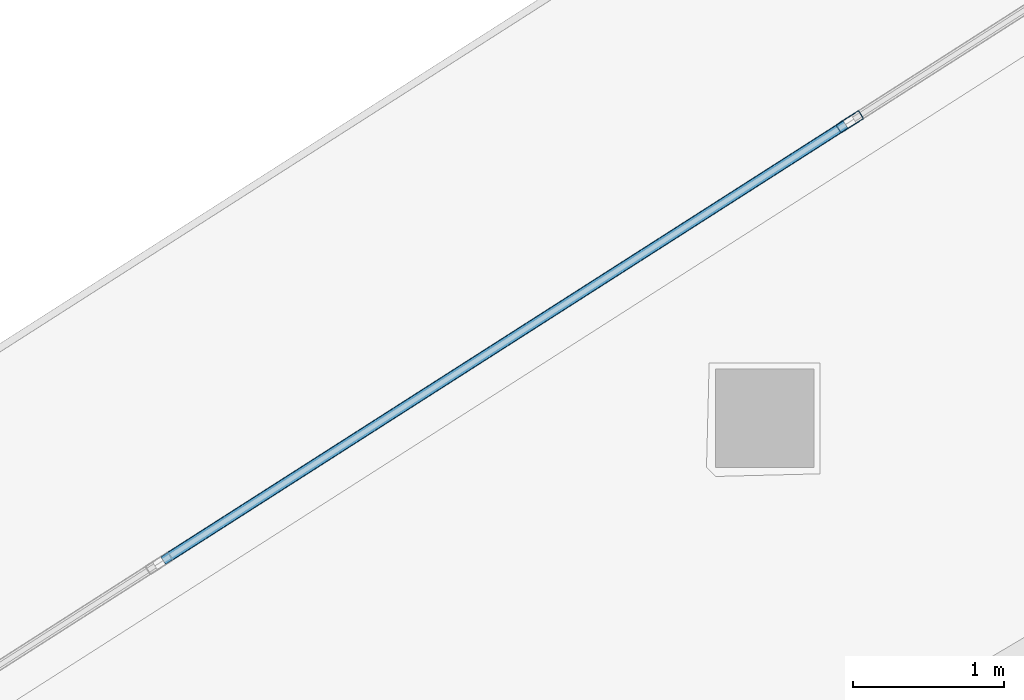
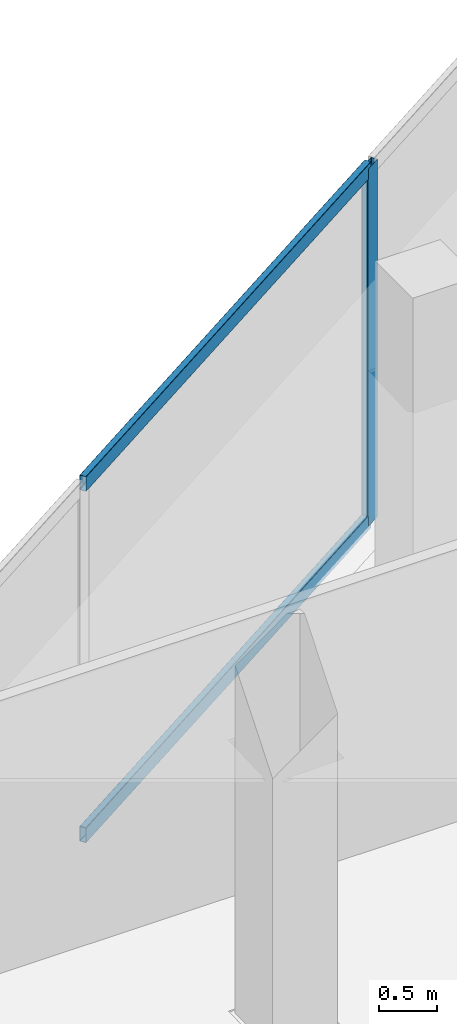
# One storey, part 12 of 35: 3 members, 1 element without a shape of its own.
"""IFC4 building model written with IfcOpenShell, lengths in metres."""

from ifc_helpers import new_model, si_unit, direction, frame, origin, origin_2d, place, context, subcontext, project, spatial, hollow_rectangle, extrude, material, layer, layer_set, material_profile, profile_set, type_object, element, aggregate, save


model = new_model("IFC4")

# Units and contexts
model_context = context("Model", 3, precision=1e-05, world=origin(), true_north=direction((0.0, 1.0)))
body_context = subcontext(model_context, "Body", "Model", "MODEL_VIEW")
ifc_project = project(units=[si_unit("LENGTHUNIT", "METRE"), si_unit("AREAUNIT", "SQUARE_METRE"), si_unit("VOLUMEUNIT", "CUBIC_METRE"), si_unit("PLANEANGLEUNIT", "RADIAN"), si_unit("MASSUNIT", "GRAM", prefix="KILO")], contexts=[model_context])

# Site, building, storey
site_placement = place(None, origin())
site = spatial("IfcSite", under=ifc_project, at=site_placement, CompositionType="ELEMENT")
building_placement = place(site_placement, origin())
building = spatial("IfcBuilding", under=site, at=building_placement, Name="Qorvath Tower", CompositionType="ELEMENT")
storey_placement = place(building_placement, frame((0.0, 0.0, 130.050048828125)))
storey = spatial("IfcBuildingStorey", under=building, at=storey_placement, Name="L29", CompositionType="ELEMENT", Elevation=130.050048828125)

# Curtain wall, members
ifc_material_1 = material(Name="Anodised aluminium and triple low-E glass", Category="aluminium")
ifc_layer = layer(ifc_material_1, 0.179931640625)
ifc_layer_set = layer_set([ifc_layer], Name="CW-SYS-2")
curtain_wall_type = type_object("IfcCurtainWallType", Name="CW-SYS-2", PredefinedType="NOTDEFINED", material=ifc_layer_set)
curtain_wall_placement = place(storey_placement, origin())
curtain_wall = element("IfcCurtainWall", 1, at=curtain_wall_placement, inside=storey, type_object=curtain_wall_type, Name="Curtain Wall CW-2 CW-T-L29-16.3", PredefinedType="NOTDEFINED")
ifc_material_2 = material(Name="Anodised aluminium 6063-T6", Category="aluminium")
ifc_material_profile_1 = material_profile(ifc_material_2, hollow_rectangle(XDim=0.06494140625, YDim=0.179931640625, WallThickness=0.00341796875, InnerFilletRadius=0.00341796875, OuterFilletRadius=0.007080078125, at=origin_2d()), Name="CWM 180x65")
ifc_profile_set_1 = profile_set([ifc_material_profile_1], Name="Anodised aluminium 6063-T6")
member_type_1 = type_object("IfcMemberType", Name="CWM-180", PredefinedType="MULLION", material=ifc_profile_set_1)
member_1_placement = place(storey_placement, frame((-44.173095703125, 12.614990234375, 0.0), z_axis=(0.0, 0.0, 1.0), x_axis=(0.538534177075, -0.842603667285, 0.0)))
member_1 = element("IfcMember", 2, at=member_1_placement, type_object=member_type_1, Name="CW-2 mullion 3", PredefinedType="MULLION", context=body_context, shape_type="SweptSolid", body=[
    extrude(hollow_rectangle(XDim=0.06494140625, YDim=0.179931640625, WallThickness=0.00341796875, InnerFilletRadius=0.00341796875, OuterFilletRadius=0.007080078125, at=origin_2d()), origin(), (0.0, 0.0, 1.0), 3.780029296875),
])
ifc_material_3 = material(Name="Anodised aluminium 6063-T6", Category="aluminium")
ifc_material_profile_2 = material_profile(ifc_material_3, hollow_rectangle(XDim=0.06494140625, YDim=0.159912109375, WallThickness=0.00341796875, InnerFilletRadius=0.00341796875, OuterFilletRadius=0.007080078125, at=origin_2d()), Name="CWT 160x65")
ifc_profile_set_2 = profile_set([ifc_material_profile_2], Name="Anodised aluminium 6063-T6")
member_type_2 = type_object("IfcMemberType", Name="CWT-160", PredefinedType="USERDEFINED", material=ifc_profile_set_2)
member_2_placement = place(storey_placement, frame((-44.200439453125, 12.597412109375, 0.032470703125), z_axis=(-0.842621067422, -0.538506951428, 0.0), x_axis=(0.538506951428, -0.842621067422, 0.0)))
member_2 = element("IfcMember", 3, at=member_2_placement, type_object=member_type_2, Name="CW-2 transom 3.1", ObjectType="TRANSOM", PredefinedType="USERDEFINED", context=body_context, shape_type="SweptSolid", body=[
    extrude(hollow_rectangle(XDim=0.06494140625, YDim=0.159912109375, WallThickness=0.00341796875, InnerFilletRadius=0.00341796875, OuterFilletRadius=0.007080078125, at=origin_2d()), origin(), (0.0, 0.0, 1.0), 5.361083984375),
])
member_3_placement = place(storey_placement, frame((-44.200439453125, 12.597412109375, 3.74755859375), z_axis=(-0.842621067422, -0.538506951428, 0.0), x_axis=(0.538506951428, -0.842621067422, 0.0)))
member_3 = element("IfcMember", 4, at=member_3_placement, type_object=member_type_2, Name="CW-2 transom 3.2", ObjectType="TRANSOM", PredefinedType="USERDEFINED", context=body_context, shape_type="SweptSolid", body=[
    extrude(hollow_rectangle(XDim=0.06494140625, YDim=0.159912109375, WallThickness=0.00341796875, InnerFilletRadius=0.00341796875, OuterFilletRadius=0.007080078125, at=origin_2d()), origin(), (0.0, 0.0, 1.0), 5.361083984375),
])
aggregate(curtain_wall, [member_1, member_2, member_3])

save(model, "model.ifc")
